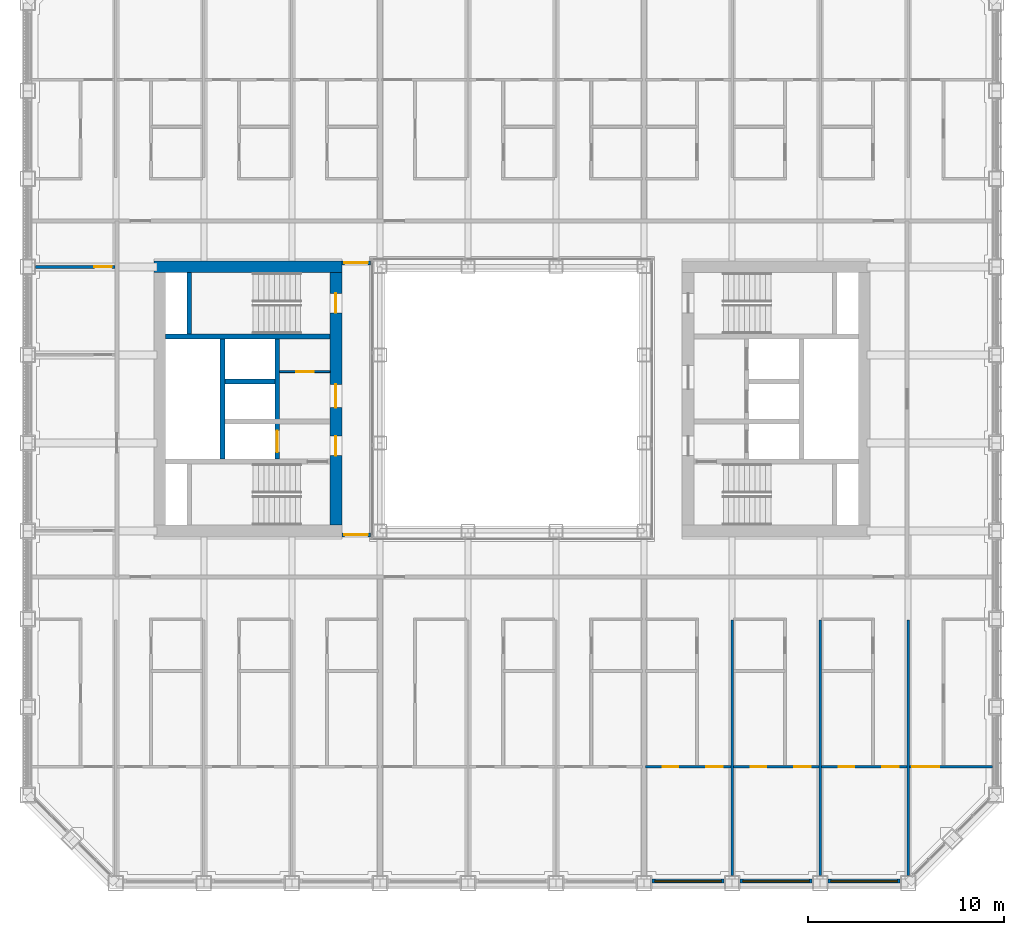
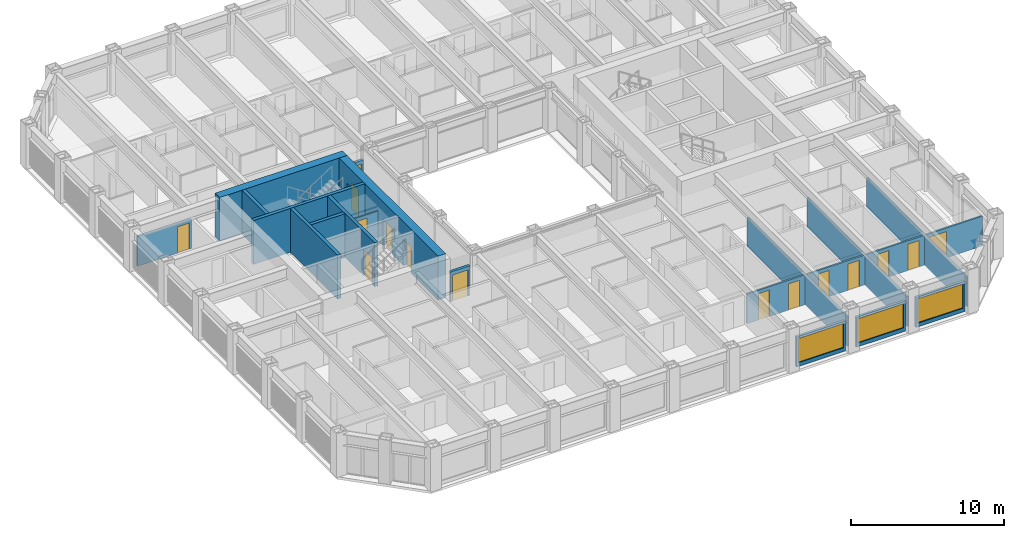
# One storey, part 11 of 21: 21 walls, 15 doors, 3 windows, 18 openings.
"""IFC4 building model written with IfcOpenShell, lengths in metres."""

from ifc_helpers import new_model, si_unit, direction, frame, frame_2d, origin, place, context, subcontext, project, spatial, rectangle, extrude, material, layer, layer_set, type_object, element, fill, save


model = new_model("IFC4")

# Units and contexts
model_context = context("Model", 3, precision=1e-05, world=origin(), true_north=direction((0.0, 1.0)))
body_context = subcontext(model_context, "Body", "Model", "MODEL_VIEW")
ifc_project = project(units=[si_unit("LENGTHUNIT", "METRE"), si_unit("AREAUNIT", "SQUARE_METRE"), si_unit("VOLUMEUNIT", "CUBIC_METRE"), si_unit("PLANEANGLEUNIT", "RADIAN"), si_unit("MASSUNIT", "GRAM", prefix="KILO")], contexts=[model_context])

# Site, building, storey
site_placement = place(None, origin())
site = spatial("IfcSite", under=ifc_project, at=site_placement, CompositionType="ELEMENT")
building_placement = place(site_placement, origin())
building = spatial("IfcBuilding", under=site, at=building_placement, Name="Msasa Ring Tower", CompositionType="ELEMENT")
storey_placement = place(building_placement, frame((0.0, 0.0, 93.0)))
storey = spatial("IfcBuildingStorey", under=building, at=storey_placement, Name="L24", CompositionType="ELEMENT", Elevation=93.0)

# Wall
ifc_material_1 = material(Name="Concrete C60/75", Category="concrete")
ifc_layer_1 = layer(ifc_material_1, 0.60009765625)
ifc_layer_set_1 = layer_set([ifc_layer_1], Name="CW1 CORE WALL 600")
wall_type_1 = type_object("IfcWallType", Name="CW1 CORE WALL 600", PredefinedType="SHEAR", material=ifc_layer_set_1)
wall_1_placement = place(storey_placement, frame((-8.699951171875, 6.75, 0.0), z_axis=(0.0, 0.0, 1.0), x_axis=(-1.0, 0.0, 0.0)))
element("IfcWall", 1, at=wall_1_placement, inside=storey, type_object=wall_type_1, Name="W core wall N L24", PredefinedType="SHEAR", context=body_context, shape_type="SweptSolid", body=[
    extrude(rectangle(XDim=9.60009765625, YDim=0.60009765625, at=frame_2d((4.800048828125, 0.0))), origin(), (0.0, 0.0, 1.0), 3.5),
])

# Wall, openings, doors
wall_2_placement = place(storey_placement, frame((-9.0, -6.449951171875, 0.0), z_axis=(0.0, 0.0, 1.0), x_axis=(0.0, 1.0, 0.0)))
wall_2 = element("IfcWall", 2, at=wall_2_placement, inside=storey, type_object=wall_type_1, Name="W core wall W L24", PredefinedType="SHEAR", context=body_context, shape_type="SweptSolid", body=[
    extrude(rectangle(XDim=12.89990234375, YDim=0.60009765625, at=frame_2d((6.449951171875, 0.0))), origin(), (0.0, 0.0, 1.0), 3.5),
])
opening_1_placement = place(wall_2_placement, frame((3.550048828125, 0.0, 0.0)))
opening_1 = element("IfcOpeningElement", 3, at=opening_1_placement, cuts=wall_2, Name="Opening RG-044", PredefinedType="OPENING", context=body_context, shape_type="SweptSolid", body=[
    extrude(rectangle(XDim=1.0, YDim=2.10009765625, at=frame_2d((0.5, 1.050048828125))), frame((0.0, 0.31005859375, 0.0), z_axis=(0.0, -1.0, 0.0), x_axis=(1.0, 0.0, 0.0)), (0.0, 0.0, 1.0), 0.6201171875),
])
opening_2_placement = place(wall_2_placement, frame((6.0, 0.0, 0.0)))
opening_2 = element("IfcOpeningElement", 4, at=opening_2_placement, cuts=wall_2, Name="Opening RG-041", PredefinedType="OPENING", context=body_context, shape_type="SweptSolid", body=[
    extrude(rectangle(XDim=1.199951171875, YDim=2.10009765625, at=frame_2d((0.60009765625, 1.050048828125))), frame((0.0, 0.31005859375, 0.0), z_axis=(0.0, -1.0, 0.0), x_axis=(1.0, 0.0, 0.0)), (0.0, 0.0, 1.0), 0.6201171875),
])
opening_3_placement = place(wall_2_placement, frame((10.85009765625, 0.0, 0.0)))
opening_3 = element("IfcOpeningElement", 5, at=opening_3_placement, cuts=wall_2, Name="Opening RG-036", PredefinedType="OPENING", context=body_context, shape_type="SweptSolid", body=[
    extrude(rectangle(XDim=1.0, YDim=2.10009765625, at=frame_2d((0.5, 1.050048828125))), frame((0.0, 0.31005859375, 0.0), z_axis=(0.0, -1.0, 0.0), x_axis=(1.0, 0.0, 0.0)), (0.0, 0.0, 1.0), 0.6201171875),
])
ifc_material_2 = material(Name="Timber door leaf in a steel frame", Category="steel")
door_type_1 = type_object("IfcDoorType", Name="D26 WIDE SERVICE ROOM DOOR 1200x2100", OperationType="SINGLE_SWING_LEFT", PredefinedType="DOOR", material=ifc_material_2)
door_1_placement = place(opening_2_placement, origin())
door_1 = element("IfcDoor", 6, at=door_1_placement, inside=storey, type_object=door_type_1, Name="Door L24-WCR", OperationType="SINGLE_SWING_RIGHT", OverallHeight=2.10009765625, OverallWidth=1.199951171875, PredefinedType="DOOR", context=body_context, shape_type="SweptSolid", body=[
    extrude(rectangle(XDim=1.199951171875, YDim=2.10009765625, at=frame_2d((0.60009765625, 1.050048828125))), frame((0.0, 0.02490234375, 0.0), z_axis=(0.0, -1.0, 0.0), x_axis=(1.0, 0.0, 0.0)), (0.0, 0.0, 1.0), 0.050048828125),
])
fill(opening_2, door_1)
ifc_material_3 = material(Name="Timber door leaf in a steel frame", Category="steel")
door_type_2 = type_object("IfcDoorType", Name="D4 LOBBY DOOR 1000x2100", OperationType="SINGLE_SWING_LEFT", PredefinedType="DOOR", material=ifc_material_3)
door_2_placement = place(opening_1_placement, origin())
door_2 = element("IfcDoor", 7, at=door_2_placement, inside=storey, type_object=door_type_2, Name="Door L24-WFFL", OperationType="SINGLE_SWING_LEFT", OverallHeight=2.10009765625, OverallWidth=1.0, PredefinedType="DOOR", context=body_context, shape_type="SweptSolid", body=[
    extrude(rectangle(XDim=1.0, YDim=2.10009765625, at=frame_2d((0.5, 1.050048828125))), frame((0.0, 0.02490234375, 0.0), z_axis=(0.0, -1.0, 0.0), x_axis=(1.0, 0.0, 0.0)), (0.0, 0.0, 1.0), 0.050048828125),
])
fill(opening_1, door_2)
ifc_material_4 = material(Name="Timber door leaf in a steel frame", Category="steel")
door_type_3 = type_object("IfcDoorType", Name="D6 STAIR DOOR 1000x2100", OperationType="SINGLE_SWING_LEFT", PredefinedType="DOOR", material=ifc_material_4)
door_3_placement = place(opening_3_placement, origin())
door_3 = element("IfcDoor", 8, at=door_3_placement, inside=storey, type_object=door_type_3, Name="Door L24-WSTB", OperationType="SINGLE_SWING_RIGHT", OverallHeight=2.10009765625, OverallWidth=1.0, PredefinedType="DOOR", context=body_context, shape_type="SweptSolid", body=[
    extrude(rectangle(XDim=1.0, YDim=2.10009765625, at=frame_2d((0.5, 1.050048828125))), frame((0.0, 0.02490234375, 0.0), z_axis=(0.0, -1.0, 0.0), x_axis=(1.0, 0.0, 0.0)), (0.0, 0.0, 1.0), 0.050048828125),
])
fill(opening_3, door_3)

# Walls
ifc_material_5 = material(Name="Concrete C60/75", Category="concrete")
ifc_layer_2 = layer(ifc_material_5, 0.25)
ifc_layer_set_2 = layer_set([ifc_layer_2], Name="CW4 CORE INNER WALL 250")
wall_type_2 = type_object("IfcWallType", Name="CW4 CORE INNER WALL 250", PredefinedType="SHEAR", material=ifc_layer_set_2)
wall_3_placement = place(storey_placement, frame((-9.300048828125, 3.199951171875, 0.0), z_axis=(0.0, 0.0, 1.0), x_axis=(-1.0, 0.0, 0.0)))
element("IfcWall", 9, at=wall_3_placement, inside=storey, type_object=wall_type_2, Name="W core wall STAIRB L24", PredefinedType="SHEAR", context=body_context, shape_type="SweptSolid", body=[
    extrude(rectangle(XDim=8.39990234375, YDim=0.25, at=frame_2d((4.199951171875, 0.0))), origin(), (0.0, 0.0, 1.0), 3.5),
])
wall_4_placement = place(storey_placement, frame((-16.5, 3.324951171875, 0.0), z_axis=(0.0, 0.0, 1.0), x_axis=(0.0, 1.0, 0.0)))
element("IfcWall", 10, at=wall_4_placement, inside=storey, type_object=wall_type_2, Name="W core wall RISERB L24", PredefinedType="SHEAR", context=body_context, shape_type="SweptSolid", body=[
    extrude(rectangle(XDim=3.125, YDim=0.25, at=frame_2d((1.5625, 0.0))), origin(), (0.0, 0.0, 1.0), 3.5),
])

# Wall, opening, door
wall_5_placement = place(storey_placement, frame((-12.0, -3.074951171875, 0.0), z_axis=(0.0, 0.0, 1.0), x_axis=(0.0, 1.0, 0.0)))
wall_5 = element("IfcWall", 11, at=wall_5_placement, inside=storey, type_object=wall_type_2, Name="W core wall LOBBY L24", PredefinedType="SHEAR", context=body_context, shape_type="SweptSolid", body=[
    extrude(rectangle(XDim=6.14990234375, YDim=0.25, at=frame_2d((3.074951171875, 0.0))), origin(), (0.0, 0.0, 1.0), 3.5),
])
opening_4_placement = place(wall_5_placement, frame((0.35009765625, 0.0, 0.0)))
opening_4 = element("IfcOpeningElement", 12, at=opening_4_placement, cuts=wall_5, Name="Opening LD1", PredefinedType="OPENING", context=body_context, shape_type="SweptSolid", body=[
    extrude(rectangle(XDim=1.10009765625, YDim=2.10009765625, at=frame_2d((0.550048828125, 1.050048828125))), frame((0.0, 0.135009765625, 0.0), z_axis=(0.0, -1.0, 0.0), x_axis=(1.0, 0.0, 0.0)), (0.0, 0.0, 1.0), 0.27001953125),
])
ifc_material_6 = material(Name="Stainless steel lift landing door", Category="steel")
door_type_4 = type_object("IfcDoorType", Name="LD1 LIFT LANDING DOOR 1100x2100", OperationType="DOUBLE_DOOR_SLIDING", PredefinedType="DOOR", material=ifc_material_6)
door_4_placement = place(opening_4_placement, origin())
door_4 = element("IfcDoor", 13, at=door_4_placement, inside=storey, type_object=door_type_4, Name="Lift landing door FL-W L24", OperationType="DOUBLE_DOOR_SLIDING", OverallHeight=2.10009765625, OverallWidth=1.10009765625, PredefinedType="DOOR", context=body_context, shape_type="SweptSolid", body=[
    extrude(rectangle(XDim=1.10009765625, YDim=2.10009765625, at=frame_2d((0.550048828125, 1.050048828125))), frame((0.0, 0.02490234375, 0.0), z_axis=(0.0, -1.0, 0.0), x_axis=(1.0, 0.0, 0.0)), (0.0, 0.0, 1.0), 0.050048828125),
])
fill(opening_4, door_4)

# Walls
wall_6_placement = place(storey_placement, frame((-14.800048828125, -3.074951171875, 0.0), z_axis=(0.0, 0.0, 1.0), x_axis=(0.0, 1.0, 0.0)))
element("IfcWall", 14, at=wall_6_placement, inside=storey, type_object=wall_type_2, Name="W core wall SHAFT L24", PredefinedType="SHEAR", context=body_context, shape_type="SweptSolid", body=[
    extrude(rectangle(XDim=6.14990234375, YDim=0.25, at=frame_2d((3.074951171875, 0.0))), origin(), (0.0, 0.0, 1.0), 3.5),
])
wall_7_placement = place(storey_placement, frame((-12.125, 0.89990234375, 0.0), z_axis=(0.0, 0.0, 1.0), x_axis=(-1.0, 0.0, 0.0)))
element("IfcWall", 15, at=wall_7_placement, inside=storey, type_object=wall_type_2, Name="W core wall LIFT1 L24", PredefinedType="SHEAR", context=body_context, shape_type="SweptSolid", body=[
    extrude(rectangle(XDim=2.550048828125, YDim=0.25, at=frame_2d((1.27490234375, 0.0))), origin(), (0.0, 0.0, 1.0), 3.5),
])

# Wall, opening, window
ifc_material_7 = material(Name="Terracotta rainscreen on blockwork", Category="masonry")
ifc_layer_3 = layer(ifc_material_7, 0.199951171875)
ifc_layer_set_3 = layer_set([ifc_layer_3], Name="FW1 TERRACOTTA-LINED INFILL BAY WALL 200")
wall_type_3 = type_object("IfcWallType", Name="FW1 TERRACOTTA-LINED INFILL BAY WALL 200", PredefinedType="SOLIDWALL", material=ifc_layer_set_3)
wall_8_placement = place(storey_placement, frame((7.155029296875, -24.64990234375, 0.0), z_axis=(0.0, 0.0, 1.0), x_axis=(1.0, 0.0, 0.0)))
wall_8 = element("IfcWall", 16, at=wall_8_placement, inside=storey, type_object=wall_type_3, Name="Infill bay wall S L24 06", PredefinedType="SOLIDWALL", context=body_context, shape_type="SweptSolid", body=[
    extrude(rectangle(XDim=3.68994140625, YDim=0.199951171875, at=frame_2d((1.844970703125, 0.0))), origin(), (0.0, 0.0, 1.0), 2.37890625),
])
opening_5_placement = place(wall_8_placement, frame((0.14501953125, 0.0, 0.300048828125)))
opening_5 = element("IfcOpeningElement", 17, at=opening_5_placement, cuts=wall_8, Name="Opening WN1", PredefinedType="OPENING", context=body_context, shape_type="SweptSolid", body=[
    extrude(rectangle(XDim=3.39990234375, YDim=1.928955078125, at=frame_2d((1.699951171875, 0.96435546875))), frame((0.0, 0.10986328125, 0.0), z_axis=(0.0, -1.0, 0.0), x_axis=(1.0, 0.0, 0.0)), (0.0, 0.0, 1.0), 0.219970703125),
])
ifc_material_8 = material(Name="Aluminium frame with clear glass", Category="aluminium")
window_type = type_object("IfcWindowType", Name="WN1 RESIDENCE WINDOW 3400x1929", PartitioningType="SINGLE_PANEL", PredefinedType="WINDOW", material=ifc_material_8)
window_1_placement = place(opening_5_placement, origin())
window_1 = element("IfcWindow", 18, at=window_1_placement, inside=storey, type_object=window_type, Name="Window S L24 06", OverallHeight=1.928955078125, OverallWidth=3.39990234375, PartitioningType="SINGLE_PANEL", PredefinedType="WINDOW", context=body_context, shape_type="SweptSolid", body=[
    extrude(rectangle(XDim=3.39990234375, YDim=1.928955078125, at=frame_2d((1.699951171875, 0.96435546875))), frame((0.0, 0.030029296875, 0.0), z_axis=(0.0, -1.0, 0.0), x_axis=(1.0, 0.0, 0.0)), (0.0, 0.0, 1.0), 0.06005859375),
])
fill(opening_5, window_1)

wall_9_placement = place(storey_placement, frame((11.655029296875, -24.64990234375, 0.0), z_axis=(0.0, 0.0, 1.0), x_axis=(1.0, 0.0, 0.0)))
wall_9 = element("IfcWall", 19, at=wall_9_placement, inside=storey, type_object=wall_type_3, Name="Infill bay wall S L24 07", PredefinedType="SOLIDWALL", context=body_context, shape_type="SweptSolid", body=[
    extrude(rectangle(XDim=3.68994140625, YDim=0.199951171875, at=frame_2d((1.844970703125, 0.0))), origin(), (0.0, 0.0, 1.0), 2.37890625),
])
opening_6_placement = place(wall_9_placement, frame((0.14501953125, 0.0, 0.300048828125)))
opening_6 = element("IfcOpeningElement", 20, at=opening_6_placement, cuts=wall_9, Name="Opening WN1", PredefinedType="OPENING", context=body_context, shape_type="SweptSolid", body=[
    extrude(rectangle(XDim=3.39990234375, YDim=1.928955078125, at=frame_2d((1.699951171875, 0.96435546875))), frame((0.0, 0.10986328125, 0.0), z_axis=(0.0, -1.0, 0.0), x_axis=(1.0, 0.0, 0.0)), (0.0, 0.0, 1.0), 0.219970703125),
])
window_2_placement = place(opening_6_placement, origin())
window_2 = element("IfcWindow", 21, at=window_2_placement, inside=storey, type_object=window_type, Name="Window S L24 07", OverallHeight=1.928955078125, OverallWidth=3.39990234375, PartitioningType="SINGLE_PANEL", PredefinedType="WINDOW", context=body_context, shape_type="SweptSolid", body=[
    extrude(rectangle(XDim=3.39990234375, YDim=1.928955078125, at=frame_2d((1.699951171875, 0.96435546875))), frame((0.0, 0.030029296875, 0.0), z_axis=(0.0, -1.0, 0.0), x_axis=(1.0, 0.0, 0.0)), (0.0, 0.0, 1.0), 0.06005859375),
])
fill(opening_6, window_2)

wall_10_placement = place(storey_placement, frame((16.155029296875, -24.64990234375, 0.0), z_axis=(0.0, 0.0, 1.0), x_axis=(1.0, 0.0, 0.0)))
wall_10 = element("IfcWall", 22, at=wall_10_placement, inside=storey, type_object=wall_type_3, Name="Infill bay wall S L24 08", PredefinedType="SOLIDWALL", context=body_context, shape_type="SweptSolid", body=[
    extrude(rectangle(XDim=3.68994140625, YDim=0.199951171875, at=frame_2d((1.844970703125, 0.0))), origin(), (0.0, 0.0, 1.0), 2.37890625),
])
opening_7_placement = place(wall_10_placement, frame((0.14501953125, 0.0, 0.300048828125)))
opening_7 = element("IfcOpeningElement", 23, at=opening_7_placement, cuts=wall_10, Name="Opening WN1", PredefinedType="OPENING", context=body_context, shape_type="SweptSolid", body=[
    extrude(rectangle(XDim=3.39990234375, YDim=1.928955078125, at=frame_2d((1.699951171875, 0.96435546875))), frame((0.0, 0.10986328125, 0.0), z_axis=(0.0, -1.0, 0.0), x_axis=(1.0, 0.0, 0.0)), (0.0, 0.0, 1.0), 0.219970703125),
])
window_3_placement = place(opening_7_placement, origin())
window_3 = element("IfcWindow", 24, at=window_3_placement, inside=storey, type_object=window_type, Name="Window S L24 08", OverallHeight=1.928955078125, OverallWidth=3.39990234375, PartitioningType="SINGLE_PANEL", PredefinedType="WINDOW", context=body_context, shape_type="SweptSolid", body=[
    extrude(rectangle(XDim=3.39990234375, YDim=1.928955078125, at=frame_2d((1.699951171875, 0.96435546875))), frame((0.0, 0.030029296875, 0.0), z_axis=(0.0, -1.0, 0.0), x_axis=(1.0, 0.0, 0.0)), (0.0, 0.0, 1.0), 0.06005859375),
])
fill(opening_7, window_3)

# Wall, opening, door
ifc_material_9 = material(Name="Concrete blockwork", Category="masonry")
ifc_layer_4 = layer(ifc_material_9, 0.199951171875)
ifc_layer_set_4 = layer_set([ifc_layer_4], Name="PT1 CORRIDOR WALL 200")
wall_type_4 = type_object("IfcWallType", Name="PT1 CORRIDOR WALL 200", PredefinedType="PARTITIONING", material=ifc_layer_set_4)
wall_11_placement = place(storey_placement, frame((-8.699951171875, 6.949951171875, 0.0), z_axis=(0.0, 0.0, 1.0), x_axis=(1.0, 0.0, 0.0)))
wall_11 = element("IfcWall", 25, at=wall_11_placement, inside=storey, type_object=wall_type_4, Name="Corridor wall L24-SDWN", PredefinedType="PARTITIONING", context=body_context, shape_type="SweptSolid", body=[
    extrude(rectangle(XDim=1.469970703125, YDim=0.199951171875, at=frame_2d((0.73486328125, 0.0))), origin(), (0.0, 0.0, 1.0), 2.373291015625),
])
opening_8_placement = place(wall_11_placement, frame((0.135009765625, 0.0, 0.0)))
opening_8 = element("IfcOpeningElement", 26, at=opening_8_placement, cuts=wall_11, Name="Opening RG-034", PredefinedType="OPENING", context=body_context, shape_type="SweptSolid", body=[
    extrude(rectangle(XDim=1.199951171875, YDim=2.10009765625, at=frame_2d((0.60009765625, 1.050048828125))), frame((0.0, 0.10986328125, 0.0), z_axis=(0.0, -1.0, 0.0), x_axis=(1.0, 0.0, 0.0)), (0.0, 0.0, 1.0), 0.219970703125),
])
ifc_material_10 = material(Name="Timber door leaf in a steel frame", Category="steel")
door_type_5 = type_object("IfcDoorType", Name="D25 CORRIDOR PAIR OF SMOKE DOORS 1200x2100", OperationType="DOUBLE_DOOR_DOUBLE_SWING", PredefinedType="DOOR", material=ifc_material_10)
door_5_placement = place(opening_8_placement, origin())
door_5 = element("IfcDoor", 27, at=door_5_placement, inside=storey, type_object=door_type_5, Name="Door L24-SDWN", OperationType="DOUBLE_DOOR_DOUBLE_SWING", OverallHeight=2.10009765625, OverallWidth=1.199951171875, PredefinedType="DOOR", context=body_context, shape_type="SweptSolid", body=[
    extrude(rectangle(XDim=1.199951171875, YDim=2.10009765625, at=frame_2d((0.60009765625, 1.050048828125))), frame((0.0, 0.02490234375, 0.0), z_axis=(0.0, -1.0, 0.0), x_axis=(1.0, 0.0, 0.0)), (0.0, 0.0, 1.0), 0.050048828125),
])
fill(opening_8, door_5)

wall_12_placement = place(storey_placement, frame((-8.699951171875, -6.949951171875, 0.0), z_axis=(0.0, 0.0, 1.0), x_axis=(1.0, 0.0, 0.0)))
wall_12 = element("IfcWall", 28, at=wall_12_placement, inside=storey, type_object=wall_type_4, Name="Corridor wall L24-SDWS", PredefinedType="PARTITIONING", context=body_context, shape_type="SweptSolid", body=[
    extrude(rectangle(XDim=1.469970703125, YDim=0.199951171875, at=frame_2d((0.73486328125, 0.0))), origin(), (0.0, 0.0, 1.0), 2.373291015625),
])
opening_9_placement = place(wall_12_placement, frame((0.135009765625, 0.0, 0.0)))
opening_9 = element("IfcOpeningElement", 29, at=opening_9_placement, cuts=wall_12, Name="Opening RG-049", PredefinedType="OPENING", context=body_context, shape_type="SweptSolid", body=[
    extrude(rectangle(XDim=1.199951171875, YDim=2.10009765625, at=frame_2d((0.60009765625, 1.050048828125))), frame((0.0, 0.10986328125, 0.0), z_axis=(0.0, -1.0, 0.0), x_axis=(1.0, 0.0, 0.0)), (0.0, 0.0, 1.0), 0.219970703125),
])
door_6_placement = place(opening_9_placement, origin())
door_6 = element("IfcDoor", 30, at=door_6_placement, inside=storey, type_object=door_type_5, Name="Door L24-SDWS", OperationType="DOUBLE_DOOR_DOUBLE_SWING", OverallHeight=2.10009765625, OverallWidth=1.199951171875, PredefinedType="DOOR", context=body_context, shape_type="SweptSolid", body=[
    extrude(rectangle(XDim=1.199951171875, YDim=2.10009765625, at=frame_2d((0.60009765625, 1.050048828125))), frame((0.0, 0.02490234375, 0.0), z_axis=(0.0, -1.0, 0.0), x_axis=(1.0, 0.0, 0.0)), (0.0, 0.0, 1.0), 0.050048828125),
])
fill(opening_9, door_6)

ifc_material_11 = material(Name="Gypsum board on steel studs", Category="steel")
ifc_layer_5 = layer(ifc_material_11, 0.10009765625)
ifc_layer_set_5 = layer_set([ifc_layer_5], Name="PT2 STUD PARTITION 100")
wall_type_5 = type_object("IfcWallType", Name="PT2 STUD PARTITION 100", PredefinedType="PARTITIONING", material=ifc_layer_set_5)
wall_13_placement = place(storey_placement, frame((-11.875, 1.39990234375, 0.0), z_axis=(0.0, 0.0, 1.0), x_axis=(1.0, 0.0, 0.0)))
wall_13 = element("IfcWall", 31, at=wall_13_placement, inside=storey, type_object=wall_type_5, Name="Partition L24-WCP", PredefinedType="PARTITIONING", context=body_context, shape_type="SweptSolid", body=[
    extrude(rectangle(XDim=2.574951171875, YDim=0.10009765625, at=frame_2d((1.28759765625, 0.0))), origin(), (0.0, 0.0, 1.0), 2.373291015625),
])
opening_10_placement = place(wall_13_placement, frame((0.83740234375, 0.0, 0.0)))
opening_10 = element("IfcOpeningElement", 32, at=opening_10_placement, cuts=wall_13, Name="Opening RG-039", PredefinedType="OPENING", context=body_context, shape_type="SweptSolid", body=[
    extrude(rectangle(XDim=0.89990234375, YDim=2.10009765625, at=frame_2d((0.449951171875, 1.050048828125))), frame((0.0, 0.06005859375, 0.0), z_axis=(0.0, -1.0, 0.0), x_axis=(1.0, 0.0, 0.0)), (0.0, 0.0, 1.0), 0.1201171875),
])
ifc_material_12 = material(Name="Timber door leaf in a steel frame", Category="steel")
door_type_6 = type_object("IfcDoorType", Name="D22 INTERNAL HALL DOOR 900x2100", OperationType="SINGLE_SWING_LEFT", PredefinedType="DOOR", material=ifc_material_12)
door_7_placement = place(opening_10_placement, origin())
door_7 = element("IfcDoor", 33, at=door_7_placement, inside=storey, type_object=door_type_6, Name="Door L24-WCP", OperationType="SINGLE_SWING_LEFT", OverallHeight=2.10009765625, OverallWidth=0.89990234375, PredefinedType="DOOR", context=body_context, shape_type="SweptSolid", body=[
    extrude(rectangle(XDim=0.89990234375, YDim=2.10009765625, at=frame_2d((0.449951171875, 1.050048828125))), frame((0.0, 0.02490234375, 0.0), z_axis=(0.0, -1.0, 0.0), x_axis=(1.0, 0.0, 0.0)), (0.0, 0.0, 1.0), 0.050048828125),
])
fill(opening_10, door_7)

ifc_material_13 = material(Name="Moisture-resistant board on steel studs with a concealed cistern and pipe void, tiled", Category="steel")
ifc_layer_6 = layer(ifc_material_13, 0.14990234375)
ifc_layer_set_6 = layer_set([ifc_layer_6], Name="PT4 BATHROOM WET WALL 150")
wall_type_6 = type_object("IfcWallType", Name="PT4 BATHROOM WET WALL 150", PredefinedType="PARTITIONING", material=ifc_layer_set_6)
wall_14_placement = place(storey_placement, frame((-24.35009765625, 6.75, 0.0), z_axis=(0.0, 0.0, 1.0), x_axis=(1.0, 0.0, 0.0)))
wall_14 = element("IfcWall", 34, at=wall_14_placement, inside=storey, type_object=wall_type_6, Name="Partition L24-STWBY", PredefinedType="PARTITIONING", context=body_context, shape_type="SweptSolid", body=[
    extrude(rectangle(XDim=4.050048828125, YDim=0.14990234375, at=frame_2d((2.02490234375, 0.0))), origin(), (0.0, 0.0, 1.0), 2.373291015625),
])
opening_11_placement = place(wall_14_placement, frame((3.0, 0.0, 0.0)))
opening_11 = element("IfcOpeningElement", 35, at=opening_11_placement, cuts=wall_14, Name="Opening RG-035", PredefinedType="OPENING", context=body_context, shape_type="SweptSolid", body=[
    extrude(rectangle(XDim=0.89990234375, YDim=2.10009765625, at=frame_2d((0.449951171875, 1.050048828125))), frame((0.0, 0.0849609375, 0.0), z_axis=(0.0, -1.0, 0.0), x_axis=(1.0, 0.0, 0.0)), (0.0, 0.0, 1.0), 0.169921875),
])
ifc_material_14 = material(Name="Timber door leaf in a steel frame", Category="steel")
door_type_7 = type_object("IfcDoorType", Name="D3 BATHROOM DOOR 900x2100", OperationType="SINGLE_SWING_LEFT", PredefinedType="DOOR", material=ifc_material_14)
door_8_placement = place(opening_11_placement, origin())
door_8 = element("IfcDoor", 36, at=door_8_placement, inside=storey, type_object=door_type_7, Name="Door L24-STWB", OperationType="SINGLE_SWING_RIGHT", OverallHeight=2.10009765625, OverallWidth=0.89990234375, PredefinedType="DOOR", context=body_context, shape_type="SweptSolid", body=[
    extrude(rectangle(XDim=0.89990234375, YDim=2.10009765625, at=frame_2d((0.449951171875, 1.050048828125))), frame((0.0, 0.02490234375, 0.0), z_axis=(0.0, -1.0, 0.0), x_axis=(1.0, 0.0, 0.0)), (0.0, 0.0, 1.0), 0.050048828125),
])
fill(opening_11, door_8)

ifc_material_15 = material(Name="Two layers of acoustic board each face on steel studs, mineral wool", Category="steel")
ifc_layer_7 = layer(ifc_material_15, 0.125)
ifc_layer_set_7 = layer_set([ifc_layer_7], Name="PT6 ACOUSTIC DOUBLE-BOARD PARTITION 125")
wall_type_7 = type_object("IfcWallType", Name="PT6 ACOUSTIC DOUBLE-BOARD PARTITION 125", PredefinedType="PARTITIONING", material=ifc_layer_set_7)
wall_15_placement = place(storey_placement, frame((20.3125, -18.8125, 0.0), z_axis=(0.0, 0.0, 1.0), x_axis=(1.0, 0.0, 0.0)))
wall_15 = element("IfcWall", 37, at=wall_15_placement, inside=storey, type_object=wall_type_7, Name="Partition L24-US02SY0", PredefinedType="PARTITIONING", context=body_context, shape_type="SweptSolid", body=[
    extrude(rectangle(XDim=4.237548828125, YDim=0.125, at=frame_2d((2.11865234375, 0.0))), origin(), (0.0, 0.0, 1.0), 2.373291015625),
])
opening_12_placement = place(wall_15_placement, frame((0.137451171875, 0.0, 0.0)))
opening_12 = element("IfcOpeningElement", 38, at=opening_12_placement, cuts=wall_15, Name="Opening RG-082", PredefinedType="OPENING", context=body_context, shape_type="SweptSolid", body=[
    extrude(rectangle(XDim=1.39990234375, YDim=2.10009765625, at=frame_2d((0.699951171875, 1.050048828125))), frame((0.0, 0.072509765625, 0.0), z_axis=(0.0, -1.0, 0.0), x_axis=(1.0, 0.0, 0.0)), (0.0, 0.0, 1.0), 0.14501953125),
])
ifc_material_16 = material(Name="Timber door leaf in a steel frame", Category="steel")
door_type_8 = type_object("IfcDoorType", Name="D15 LIVING ROOM PAIR OF GLAZED DOORS 1400x2100", OperationType="SINGLE_SWING_LEFT", PredefinedType="DOOR", material=ifc_material_16)
door_9_placement = place(opening_12_placement, origin())
door_9 = element("IfcDoor", 39, at=door_9_placement, inside=storey, type_object=door_type_8, Name="Door L24-US02L", OperationType="SINGLE_SWING_LEFT", OverallHeight=2.10009765625, OverallWidth=1.39990234375, PredefinedType="DOOR", context=body_context, shape_type="SweptSolid", body=[
    extrude(rectangle(XDim=1.39990234375, YDim=2.10009765625, at=frame_2d((0.699951171875, 1.050048828125))), frame((0.0, 0.02490234375, 0.0), z_axis=(0.0, -1.0, 0.0), x_axis=(1.0, 0.0, 0.0)), (0.0, 0.0, 1.0), 0.050048828125),
])
fill(opening_12, door_9)

# Wall
wall_16_placement = place(storey_placement, frame((20.25, -24.35009765625, 0.0), z_axis=(0.0, 0.0, 1.0), x_axis=(0.0, 1.0, 0.0)))
element("IfcWall", 40, at=wall_16_placement, inside=storey, type_object=wall_type_7, Name="Partition L24-US02P1", PredefinedType="PARTITIONING", context=body_context, shape_type="SweptSolid", body=[
    extrude(rectangle(XDim=13.03759765625, YDim=0.125, at=frame_2d((6.518798828125, 0.0))), origin(), (0.0, 0.0, 1.0), 2.373291015625),
])

# Wall, openings, doors
wall_17_placement = place(storey_placement, frame((15.8125, -18.8125, 0.0), z_axis=(0.0, 0.0, 1.0), x_axis=(1.0, 0.0, 0.0)))
wall_17 = element("IfcWall", 41, at=wall_17_placement, inside=storey, type_object=wall_type_7, Name="Partition L24-US02SY1", PredefinedType="PARTITIONING", context=body_context, shape_type="SweptSolid", body=[
    extrude(rectangle(XDim=4.375, YDim=0.125, at=frame_2d((2.1875, 0.0))), origin(), (0.0, 0.0, 1.0), 2.373291015625),
])
opening_13_placement = place(wall_17_placement, frame((3.112548828125, 0.0, 0.0)))
opening_13 = element("IfcOpeningElement", 42, at=opening_13_placement, cuts=wall_17, Name="Opening RG-081", PredefinedType="OPENING", context=body_context, shape_type="SweptSolid", body=[
    extrude(rectangle(XDim=0.85009765625, YDim=2.10009765625, at=frame_2d((0.425048828125, 1.050048828125))), frame((0.0, 0.072509765625, 0.0), z_axis=(0.0, -1.0, 0.0), x_axis=(1.0, 0.0, 0.0)), (0.0, 0.0, 1.0), 0.14501953125),
])
opening_14_placement = place(wall_17_placement, frame((0.88134765625, 0.0, 0.0)))
opening_14 = element("IfcOpeningElement", 43, at=opening_14_placement, cuts=wall_17, Name="Opening RG-080", PredefinedType="OPENING", context=body_context, shape_type="SweptSolid", body=[
    extrude(rectangle(XDim=0.800048828125, YDim=2.10009765625, at=frame_2d((0.39990234375, 1.050048828125))), frame((0.0, 0.072509765625, 0.0), z_axis=(0.0, -1.0, 0.0), x_axis=(1.0, 0.0, 0.0)), (0.0, 0.0, 1.0), 0.14501953125),
])
ifc_material_17 = material(Name="Timber door leaf in a steel frame", Category="steel")
door_type_9 = type_object("IfcDoorType", Name="D14 BEDROOM DOOR 850x2100", OperationType="SINGLE_SWING_LEFT", PredefinedType="DOOR", material=ifc_material_17)
door_10_placement = place(opening_13_placement, origin())
door_10 = element("IfcDoor", 44, at=door_10_placement, inside=storey, type_object=door_type_9, Name="Door L24-US02R1", OperationType="SINGLE_SWING_RIGHT", OverallHeight=2.10009765625, OverallWidth=0.85009765625, PredefinedType="DOOR", context=body_context, shape_type="SweptSolid", body=[
    extrude(rectangle(XDim=0.85009765625, YDim=2.10009765625, at=frame_2d((0.425048828125, 1.050048828125))), frame((0.0, 0.02490234375, 0.0), z_axis=(0.0, -1.0, 0.0), x_axis=(1.0, 0.0, 0.0)), (0.0, 0.0, 1.0), 0.050048828125),
])
fill(opening_13, door_10)
ifc_material_18 = material(Name="Timber door leaf in a steel frame", Category="steel")
door_type_10 = type_object("IfcDoorType", Name="D60 DRESSING ROOM DOOR 800x2100", OperationType="SINGLE_SWING_LEFT", PredefinedType="DOOR", material=ifc_material_18)
door_11_placement = place(opening_14_placement, origin())
door_11 = element("IfcDoor", 45, at=door_11_placement, inside=storey, type_object=door_type_10, Name="Door L24-US02W1", OperationType="SINGLE_SWING_LEFT", OverallHeight=2.10009765625, OverallWidth=0.800048828125, PredefinedType="DOOR", context=body_context, shape_type="SweptSolid", body=[
    extrude(rectangle(XDim=0.800048828125, YDim=2.10009765625, at=frame_2d((0.39990234375, 1.050048828125))), frame((0.0, 0.02490234375, 0.0), z_axis=(0.0, -1.0, 0.0), x_axis=(1.0, 0.0, 0.0)), (0.0, 0.0, 1.0), 0.050048828125),
])
fill(opening_14, door_11)

# Wall
wall_18_placement = place(storey_placement, frame((15.75, -24.35009765625, 0.0), z_axis=(0.0, 0.0, 1.0), x_axis=(0.0, 1.0, 0.0)))
element("IfcWall", 46, at=wall_18_placement, inside=storey, type_object=wall_type_7, Name="Partition L24-US02P2", PredefinedType="PARTITIONING", context=body_context, shape_type="SweptSolid", body=[
    extrude(rectangle(XDim=13.03759765625, YDim=0.125, at=frame_2d((6.518798828125, 0.0))), origin(), (0.0, 0.0, 1.0), 2.373291015625),
])

# Wall, openings, doors
wall_19_placement = place(storey_placement, frame((11.3125, -18.8125, 0.0), z_axis=(0.0, 0.0, 1.0), x_axis=(1.0, 0.0, 0.0)))
wall_19 = element("IfcWall", 47, at=wall_19_placement, inside=storey, type_object=wall_type_7, Name="Partition L24-US02SY2", PredefinedType="PARTITIONING", context=body_context, shape_type="SweptSolid", body=[
    extrude(rectangle(XDim=4.375, YDim=0.125, at=frame_2d((2.1875, 0.0))), origin(), (0.0, 0.0, 1.0), 2.373291015625),
])
opening_15_placement = place(wall_19_placement, frame((3.112548828125, 0.0, 0.0)))
opening_15 = element("IfcOpeningElement", 48, at=opening_15_placement, cuts=wall_19, Name="Opening RG-079", PredefinedType="OPENING", context=body_context, shape_type="SweptSolid", body=[
    extrude(rectangle(XDim=0.85009765625, YDim=2.10009765625, at=frame_2d((0.425048828125, 1.050048828125))), frame((0.0, 0.072509765625, 0.0), z_axis=(0.0, -1.0, 0.0), x_axis=(1.0, 0.0, 0.0)), (0.0, 0.0, 1.0), 0.14501953125),
])
opening_16_placement = place(wall_19_placement, frame((0.88134765625, 0.0, 0.0)))
opening_16 = element("IfcOpeningElement", 49, at=opening_16_placement, cuts=wall_19, Name="Opening RG-078", PredefinedType="OPENING", context=body_context, shape_type="SweptSolid", body=[
    extrude(rectangle(XDim=0.800048828125, YDim=2.10009765625, at=frame_2d((0.39990234375, 1.050048828125))), frame((0.0, 0.072509765625, 0.0), z_axis=(0.0, -1.0, 0.0), x_axis=(1.0, 0.0, 0.0)), (0.0, 0.0, 1.0), 0.14501953125),
])
door_12_placement = place(opening_15_placement, origin())
door_12 = element("IfcDoor", 50, at=door_12_placement, inside=storey, type_object=door_type_9, Name="Door L24-US02R2", OperationType="SINGLE_SWING_RIGHT", OverallHeight=2.10009765625, OverallWidth=0.85009765625, PredefinedType="DOOR", context=body_context, shape_type="SweptSolid", body=[
    extrude(rectangle(XDim=0.85009765625, YDim=2.10009765625, at=frame_2d((0.425048828125, 1.050048828125))), frame((0.0, 0.02490234375, 0.0), z_axis=(0.0, -1.0, 0.0), x_axis=(1.0, 0.0, 0.0)), (0.0, 0.0, 1.0), 0.050048828125),
])
fill(opening_15, door_12)
door_13_placement = place(opening_16_placement, origin())
door_13 = element("IfcDoor", 51, at=door_13_placement, inside=storey, type_object=door_type_10, Name="Door L24-US02W2", OperationType="SINGLE_SWING_LEFT", OverallHeight=2.10009765625, OverallWidth=0.800048828125, PredefinedType="DOOR", context=body_context, shape_type="SweptSolid", body=[
    extrude(rectangle(XDim=0.800048828125, YDim=2.10009765625, at=frame_2d((0.39990234375, 1.050048828125))), frame((0.0, 0.02490234375, 0.0), z_axis=(0.0, -1.0, 0.0), x_axis=(1.0, 0.0, 0.0)), (0.0, 0.0, 1.0), 0.050048828125),
])
fill(opening_16, door_13)

# Wall
wall_20_placement = place(storey_placement, frame((11.25, -24.35009765625, 0.0), z_axis=(0.0, 0.0, 1.0), x_axis=(0.0, 1.0, 0.0)))
element("IfcWall", 52, at=wall_20_placement, inside=storey, type_object=wall_type_7, Name="Partition L24-US02P3", PredefinedType="PARTITIONING", context=body_context, shape_type="SweptSolid", body=[
    extrude(rectangle(XDim=13.03759765625, YDim=0.125, at=frame_2d((6.518798828125, 0.0))), origin(), (0.0, 0.0, 1.0), 2.373291015625),
])

# Wall, openings, doors
wall_21_placement = place(storey_placement, frame((6.8173828125, -18.8125, 0.0), z_axis=(0.0, 0.0, 1.0), x_axis=(1.0, 0.0, 0.0)))
wall_21 = element("IfcWall", 53, at=wall_21_placement, inside=storey, type_object=wall_type_7, Name="Partition L24-US02SY3", PredefinedType="PARTITIONING", context=body_context, shape_type="SweptSolid", body=[
    extrude(rectangle(XDim=4.3701171875, YDim=0.125, at=frame_2d((2.18505859375, 0.0))), origin(), (0.0, 0.0, 1.0), 2.373291015625),
])
opening_17_placement = place(wall_21_placement, frame((3.107421875, 0.0, 0.0)))
opening_17 = element("IfcOpeningElement", 54, at=opening_17_placement, cuts=wall_21, Name="Opening RG-077", PredefinedType="OPENING", context=body_context, shape_type="SweptSolid", body=[
    extrude(rectangle(XDim=0.85009765625, YDim=2.10009765625, at=frame_2d((0.425048828125, 1.050048828125))), frame((0.0, 0.072509765625, 0.0), z_axis=(0.0, -1.0, 0.0), x_axis=(1.0, 0.0, 0.0)), (0.0, 0.0, 1.0), 0.14501953125),
])
opening_18_placement = place(wall_21_placement, frame((0.876220703125, 0.0, 0.0)))
opening_18 = element("IfcOpeningElement", 55, at=opening_18_placement, cuts=wall_21, Name="Opening RG-076", PredefinedType="OPENING", context=body_context, shape_type="SweptSolid", body=[
    extrude(rectangle(XDim=0.800048828125, YDim=2.10009765625, at=frame_2d((0.39990234375, 1.050048828125))), frame((0.0, 0.072509765625, 0.0), z_axis=(0.0, -1.0, 0.0), x_axis=(1.0, 0.0, 0.0)), (0.0, 0.0, 1.0), 0.14501953125),
])
door_14_placement = place(opening_17_placement, origin())
door_14 = element("IfcDoor", 56, at=door_14_placement, inside=storey, type_object=door_type_9, Name="Door L24-US02R3", OperationType="SINGLE_SWING_RIGHT", OverallHeight=2.10009765625, OverallWidth=0.85009765625, PredefinedType="DOOR", context=body_context, shape_type="SweptSolid", body=[
    extrude(rectangle(XDim=0.85009765625, YDim=2.10009765625, at=frame_2d((0.425048828125, 1.050048828125))), frame((0.0, 0.02490234375, 0.0), z_axis=(0.0, -1.0, 0.0), x_axis=(1.0, 0.0, 0.0)), (0.0, 0.0, 1.0), 0.050048828125),
])
fill(opening_17, door_14)
door_15_placement = place(opening_18_placement, origin())
door_15 = element("IfcDoor", 57, at=door_15_placement, inside=storey, type_object=door_type_10, Name="Door L24-US02W3", OperationType="SINGLE_SWING_LEFT", OverallHeight=2.10009765625, OverallWidth=0.800048828125, PredefinedType="DOOR", context=body_context, shape_type="SweptSolid", body=[
    extrude(rectangle(XDim=0.800048828125, YDim=2.10009765625, at=frame_2d((0.39990234375, 1.050048828125))), frame((0.0, 0.02490234375, 0.0), z_axis=(0.0, -1.0, 0.0), x_axis=(1.0, 0.0, 0.0)), (0.0, 0.0, 1.0), 0.050048828125),
])
fill(opening_18, door_15)

save(model, "model.ifc")
